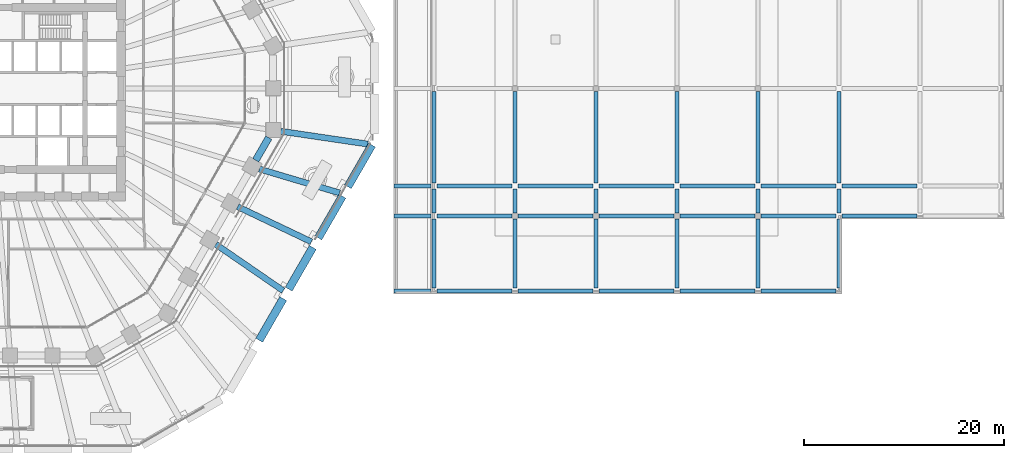
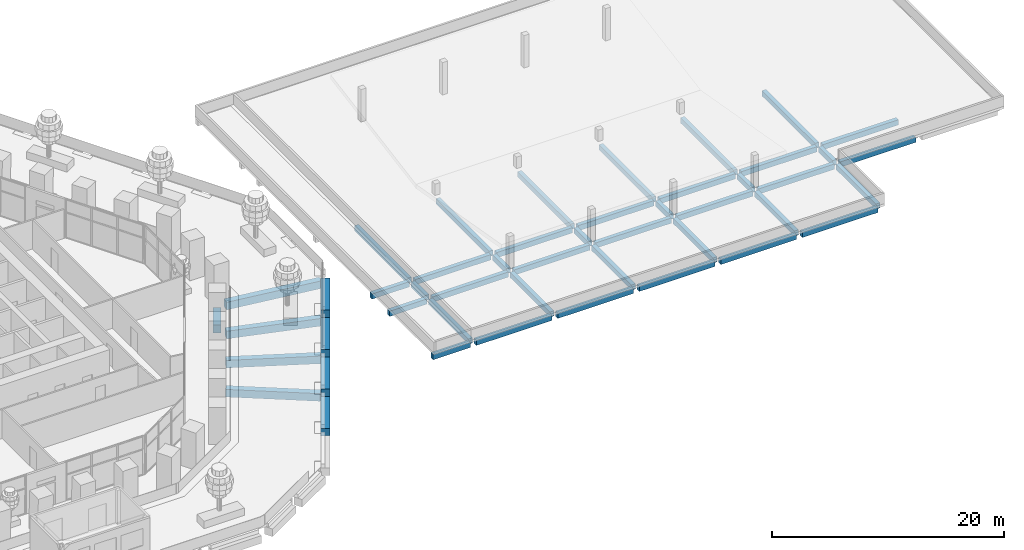
# One storey, part 16 of 32: 47 beams.
"""IFC4 building model written with IfcOpenShell, lengths in metres."""

import ifcopenshell
import ifcopenshell.guid

model = None  # the IFC model being written
_history = None  # IfcOwnerHistory: only IFC2X3 demands one
_inside = {}  # id of a spatial element -> (the spatial element, [elements in it])
_under = {}  # id of a project, library or spatial element -> (it, [spatial elements below it])
_declared = {}  # id of a project -> (the project, [libraries it declares])
_typed = {}  # id of a type object -> (the type object, [elements of that type])
_made_of = {}  # id of a material, layer set ... -> (it, [elements and type objects made of it])


def new_model(schema):
    """Start an empty IFC model of exactly this schema.

    Asked for "IFC4X3", IfcOpenShell would pick the latest addendum, in which some entities
    have other attributes; the version numbers below select the first issue.
    IFC2X3 requires an IfcOwnerHistory on every rooted entity: one is made here for all.
    """
    global model, _history
    if schema == "IFC4X3":
        model = ifcopenshell.file(schema_version=(4, 3, 0, 0))
    else:
        model = ifcopenshell.file(schema=schema)
    _inside.clear()
    _under.clear()
    _declared.clear()
    _typed.clear()
    _made_of.clear()
    _history = None
    if model.schema == "IFC2X3":
        org = make("IfcOrganization", Name="unknown")
        user = make(
            "IfcPersonAndOrganization",
            ThePerson=make("IfcPerson", FamilyName="unknown"),
            TheOrganization=org,
        )
        app = make(
            "IfcApplication",
            ApplicationDeveloper=org,
            Version="unknown",
            ApplicationFullName="unknown",
            ApplicationIdentifier="unknown",
        )
        _history = make(
            "IfcOwnerHistory",
            OwningUser=user,
            OwningApplication=app,
            ChangeAction="ADDED",
            CreationDate=0,
        )
    return model


def make(cls, **values):
    """One entity of the class cls with the attributes given. An attribute that is None is left unset."""
    return model.create_entity(
        cls, **{name: value for name, value in values.items() if value is not None}
    )


def rooted(cls, **values):
    """An entity with a GlobalId (a new one), such as an element, a storey or a relation."""
    return make(cls, GlobalId=ifcopenshell.guid.new(), OwnerHistory=_history, **values)


def si_unit(unit_type, name, prefix=None):
    """IfcSIUnit, for example si_unit("LENGTHUNIT", "METRE", prefix="MILLI")."""
    return make("IfcSIUnit", UnitType=unit_type, Prefix=prefix, Name=name)


def assignment(units):
    """IfcUnitAssignment: the units of a project."""
    return None if units is None else make("IfcUnitAssignment", Units=units)


def point(xyz):
    """IfcCartesianPoint."""
    return None if xyz is None else make("IfcCartesianPoint", Coordinates=xyz)


def direction(xyz):
    """IfcDirection."""
    return None if xyz is None else make("IfcDirection", DirectionRatios=xyz)


def frame(location, z_axis=None, x_axis=None):
    """IfcAxis2Placement3D, a coordinate frame: its origin and axes. An axis left out is left unset."""
    return make(
        "IfcAxis2Placement3D",
        Location=point(location),
        Axis=direction(z_axis),
        RefDirection=direction(x_axis),
    )


def frame_2d(location, x_axis=None):
    """IfcAxis2Placement2D, a coordinate frame in the plane: its origin and x axis."""
    return make(
        "IfcAxis2Placement2D", Location=point(location), RefDirection=direction(x_axis)
    )


def origin():
    """The frame at (0, 0, 0) with its axes left unset."""
    return frame((0.0, 0.0, 0.0))


def origin_2d():
    """The frame at (0, 0) in the plane with its x axis left unset."""
    return frame_2d((0.0, 0.0))


def place(relative_to, where):
    """IfcLocalPlacement: puts the frame where relative to a parent placement (None: the world)."""
    return make(
        "IfcLocalPlacement", PlacementRelTo=relative_to, RelativePlacement=where
    )


def context(
    kind, dimensions, precision=None, world=None, true_north=None, identifier=None
):
    """IfcGeometricRepresentationContext, for example the 3D "Model" context."""
    return make(
        "IfcGeometricRepresentationContext",
        ContextIdentifier=identifier,
        ContextType=kind,
        CoordinateSpaceDimension=dimensions,
        Precision=precision,
        WorldCoordinateSystem=world,
        TrueNorth=true_north,
    )


def subcontext(parent, identifier, kind, view, scale=None):
    """IfcGeometricRepresentationSubContext, for example "Body" below "Model"."""
    return make(
        "IfcGeometricRepresentationSubContext",
        ContextIdentifier=identifier,
        ContextType=kind,
        ParentContext=parent,
        TargetScale=scale,
        TargetView=view,
    )


def project(units=None, contexts=None):
    """IfcProject with its units and contexts."""
    return rooted(
        "IfcProject",
        Name="project",
        RepresentationContexts=contexts,
        UnitsInContext=assignment(units),
    )


def spatial(cls, under=None, at=None, **own):
    """A site, building, storey or space (cls), placed at a placement, below another one or the project."""
    s = rooted(cls, ObjectPlacement=at, **own)
    if under is not None:
        _under.setdefault(under.id(), (under, []))[1].append(s)
    return s


def profile(cls, at=None, kind="AREA", **sizes):
    """A parametric profile (cls). Its sizes go by their IFC names, for example OverallWidth=200.0."""
    return make(cls, ProfileType=kind, Position=at, **sizes)


def rectangle(**sizes):
    """IfcRectangleProfileDef."""
    return profile("IfcRectangleProfileDef", **sizes)


def extrude(swept, where, along, depth):
    """IfcExtrudedAreaSolid: the profile swept, set in the frame where, extruded along a direction by depth."""
    return make(
        "IfcExtrudedAreaSolid",
        SweptArea=swept,
        Position=where,
        ExtrudedDirection=direction(along),
        Depth=depth,
    )


def shape(context_of_items, identifier, shape_type, items):
    """IfcShapeRepresentation: the items that make up one representation, for example the "Body"."""
    return make(
        "IfcShapeRepresentation",
        ContextOfItems=context_of_items,
        RepresentationIdentifier=identifier,
        RepresentationType=shape_type,
        Items=items,
    )


def material(Name=None, Category=None):
    """IfcMaterial."""
    return make("IfcMaterial", Name=Name, Category=Category)


def material_profile(
    of_material, cross_section, Name=None, Category=None, Priority=None
):
    """IfcMaterialProfile: a cross section and its material."""
    return make(
        "IfcMaterialProfile",
        Name=Name,
        Material=of_material,
        Profile=cross_section,
        Priority=Priority,
        Category=Category,
    )


def profile_set(profiles, Name=None, composite=None):
    """IfcMaterialProfileSet."""
    return make(
        "IfcMaterialProfileSet",
        Name=Name,
        MaterialProfiles=profiles,
        CompositeProfile=composite,
    )


def made_of(thing, what):
    """Note that an element or type object is made of a material, layer set ...; save() writes the relation."""
    if what is not None:
        _made_of.setdefault(what.id(), (what, []))[1].append(thing)
    return thing


def type_object(cls, material=None, **own):
    """A type object (cls), such as IfcWallType, which elements share."""
    return made_of(rooted(cls, **own), material)


def element(
    cls,
    number,
    at=None,
    inside=None,
    cuts=None,
    type_object=None,
    material=None,
    context=None,
    identifier="Body",
    shape_type=None,
    held_by="IfcProductDefinitionShape",
    body=None,
    shapes=None,
    **own,
):
    """One element of the class cls, such as IfcWall. Its Tag is "e" and its number.

    at: its placement. inside: the storey or other place that contains it. cuts: it is an
    opening in that element (IfcRelVoidsElement). A single representation is given by context,
    identifier, shape_type and body (its items); several are given by shapes. held_by: the class
    of the entity that holds the representations. save() writes the other relations.
    """
    e = rooted(cls, Tag="e%d" % number, ObjectPlacement=at, **own)
    if body is not None:
        shapes = [shape(context, identifier, shape_type, body)]
    if shapes is not None:
        e.Representation = make(held_by, Representations=shapes)
    if inside is not None:
        _inside.setdefault(inside.id(), (inside, []))[1].append(e)
    if cuts is not None:
        rooted(
            "IfcRelVoidsElement", RelatingBuildingElement=cuts, RelatedOpeningElement=e
        )
    if type_object is not None:
        _typed.setdefault(type_object.id(), (type_object, []))[1].append(e)
    return made_of(e, material)


def aggregate(whole, parts):
    """IfcRelAggregates: a whole, such as a stair, and the parts it consists of."""
    return rooted("IfcRelAggregates", RelatingObject=whole, RelatedObjects=parts)


def save(model, path):
    """Write the relations noted so far, then the file.

    IfcRelAggregates (storeys below a building ...), IfcRelContainedInSpatialStructure (elements
    in a storey), IfcRelDefinesByType, IfcRelAssociatesMaterial and IfcRelDeclares: one each for
    every whole, place, type object, material and project.
    """
    for whole, parts in _under.values():
        aggregate(whole, parts)
    for where, things in _inside.values():
        rooted(
            "IfcRelContainedInSpatialStructure",
            RelatedElements=things,
            RelatingStructure=where,
        )
    for kind, things in _typed.values():
        rooted("IfcRelDefinesByType", RelatedObjects=things, RelatingType=kind)
    for what, things in _made_of.values():
        rooted("IfcRelAssociatesMaterial", RelatedObjects=things, RelatingMaterial=what)
    for by, libraries in _declared.values():
        rooted("IfcRelDeclares", RelatingContext=by, RelatedDefinitions=libraries)
    model.write(path)


model = new_model("IFC4")

# Units and contexts
model_context = context("Model", 3, precision=1e-05, world=origin(), true_north=direction((0.0, 1.0)))
body_context = subcontext(model_context, "Body", "Model", "MODEL_VIEW")
ifc_project = project(units=[si_unit("LENGTHUNIT", "METRE"), si_unit("AREAUNIT", "SQUARE_METRE"), si_unit("VOLUMEUNIT", "CUBIC_METRE"), si_unit("PLANEANGLEUNIT", "RADIAN"), si_unit("MASSUNIT", "GRAM", prefix="KILO")], contexts=[model_context])

# Site, building, storey
site_placement = place(None, origin())
site = spatial("IfcSite", under=ifc_project, at=site_placement, CompositionType="ELEMENT")
building_placement = place(site_placement, origin())
building = spatial("IfcBuilding", under=site, at=building_placement, Name="Frailejon Research Tower", CompositionType="ELEMENT")
storey_placement = place(building_placement, frame((0.0, 0.0, 14.60009765625)))
storey = spatial("IfcBuildingStorey", under=building, at=storey_placement, Name="L03", CompositionType="ELEMENT", Elevation=14.60009765625)

# Beams
ifc_material_1 = material(Name="Concrete C60/75", Category="concrete")
ifc_material_profile_1 = material_profile(ifc_material_1, rectangle(XDim=0.800048828125, YDim=0.800048828125, at=origin_2d()), Name="Base ring beam")
ifc_profile_set_1 = profile_set([ifc_material_profile_1], Name="Concrete C60/75")
beam_type_1 = type_object("IfcBeamType", Name="Base ring beam", PredefinedType="BEAM", material=ifc_profile_set_1)
for number, where, z_axis, x_axis, name in (
    (1, (27.0166015625, -25.2060546875, -0.800048828125), (0.50000634465, 0.866021740668, 0.0), (-0.866021740668, 0.50000634465, 0.0), "Base ring beam"),
    (2, (29.973388671875, -20.08447265625, -0.800048828125), (0.50000634465, 0.866021740668, 0.0), (-0.866021740668, 0.50000634465, 0.0), "Base ring beam"),
    (3, (32.930419921875, -14.962890625, -0.800048828125), (0.50000634465, 0.866021740668, 0.0), (-0.866021740668, 0.50000634465, 0.0), "Base ring beam"),
):
    element("IfcBeam", number, at=place(storey_placement, frame(where, z_axis=z_axis, x_axis=x_axis)), inside=storey, type_object=beam_type_1, Name=name, PredefinedType="BEAM", context=body_context, shape_type="SweptSolid", body=[
        extrude(rectangle(XDim=0.800048828125, YDim=0.800048828125, at=origin_2d()), origin(), (0.0, 0.0, 1.0), 4.81396484375),
    ])
beam_1_placement = place(storey_placement, frame((35.88720703125, -9.84130859375, -0.800048828125), z_axis=(0.500028306193, 0.866009060579, 0.0), x_axis=(-0.866009060579, 0.500028306193, 0.0)))
element("IfcBeam", 4, at=beam_1_placement, inside=storey, type_object=beam_type_1, Name="Base ring beam", PredefinedType="BEAM", context=body_context, shape_type="SweptSolid", body=[
    extrude(rectangle(XDim=0.800048828125, YDim=0.800048828125, at=origin_2d()), origin(), (0.0, 0.0, 1.0), 4.813720703125),
])
ifc_material_2 = material(Name="Concrete C60/75", Category="concrete")
ifc_material_profile_2 = material_profile(ifc_material_2, rectangle(XDim=0.60009765625, YDim=0.800048828125, at=origin_2d()), Name="Deck girder")
ifc_profile_set_2 = profile_set([ifc_material_profile_2], Name="Concrete C60/75")
beam_type_2 = type_object("IfcBeamType", Name="Deck girder", PredefinedType="BEAM", material=ifc_profile_set_2)
beam_2_placement = place(storey_placement, frame((29.162841796875, -4.298095703125, -0.800048828125), z_axis=(0.989311594585, -0.145816901696, 0.0), x_axis=(0.145816901696, 0.989311594585, 0.0)))
element("IfcBeam", 5, at=beam_2_placement, inside=storey, type_object=beam_type_2, Name="Deck girder", PredefinedType="BEAM", context=body_context, shape_type="SweptSolid", body=[
    extrude(rectangle(XDim=0.60009765625, YDim=0.800048828125, at=origin_2d()), origin(), (0.0, 0.0, 1.0), 8.815185546875),
])
for number, where, z_axis, x_axis, name in (
    (6, (22.684814453125, -15.60888671875, -0.800048828125), (0.823805728176, -0.566872227424, 0.0), (0.566872227424, 0.823805728176, 0.0), "Deck girder"),
    (7, (24.860107421875, -11.841064453125, -0.800048828125), (0.902821876558, -0.430014719758, 0.0), (0.430014719758, 0.902821876558, 0.0), "Deck girder"),
):
    element("IfcBeam", number, at=place(storey_placement, frame(where, z_axis=z_axis, x_axis=x_axis)), inside=storey, type_object=beam_type_2, Name=name, PredefinedType="BEAM", context=body_context, shape_type="SweptSolid", body=[
        extrude(rectangle(XDim=0.60009765625, YDim=0.800048828125, at=origin_2d()), origin(), (0.0, 0.0, 1.0), 8.175537109375),
    ])
beam_3_placement = place(storey_placement, frame((27.035400390625, -8.072998046875, -0.800048828125), z_axis=(0.958192065752, -0.286125785503, 0.0), x_axis=(0.286125785503, 0.958192065752, 0.0)))
element("IfcBeam", 8, at=beam_3_placement, inside=storey, type_object=beam_type_2, Name="Deck girder", PredefinedType="BEAM", context=body_context, shape_type="SweptSolid", body=[
    extrude(rectangle(XDim=0.60009765625, YDim=0.800048828125, at=origin_2d()), origin(), (0.0, 0.0, 1.0), 8.37744140625),
])
ifc_material_3 = material(Name="Concrete C35/45", Category="concrete")
ifc_material_profile_3 = material_profile(ifc_material_3, rectangle(XDim=0.39990234375, YDim=0.550048828125, at=origin_2d()), Name="HC beam 400x550")
ifc_profile_set_3 = profile_set([ifc_material_profile_3], Name="Concrete C35/45")
beam_type_3 = type_object("IfcBeamType", Name="HC beam 400x550", PredefinedType="BEAM", material=ifc_profile_set_3)
for number, where, z_axis, x_axis, name in (
    (9, (44.800048828125, -20.25, -0.525146484375), (1.0, 0.0, 0.0), (0.0, 1.0, 0.0), "HC roof beam"),
    (10, (52.89990234375, -20.25, -0.525146484375), (1.0, 0.0, 0.0), (0.0, 1.0, 0.0), "HC roof beam"),
    (11, (61.0, -20.25, -0.525146484375), (1.0, 0.0, 0.0), (0.0, 1.0, 0.0), "HC roof beam"),
    (12, (69.10009765625, -20.25, -0.525146484375), (1.0, 0.0, 0.0), (0.0, 1.0, 0.0), "HC roof beam"),
    (13, (77.199951171875, -20.25, -0.525146484375), (1.0, 0.0, 0.0), (0.0, 1.0, 0.0), "HC roof beam"),
    (14, (44.800048828125, -12.75, -0.525146484375), (1.0, 0.0, 0.0), (0.0, 1.0, 0.0), "HC roof beam"),
    (15, (52.89990234375, -12.75, -0.525146484375), (1.0, 0.0, 0.0), (0.0, 1.0, 0.0), "HC roof beam"),
    (16, (61.0, -12.75, -0.525146484375), (1.0, 0.0, 0.0), (0.0, 1.0, 0.0), "HC roof beam"),
    (17, (69.10009765625, -12.75, -0.525146484375), (1.0, 0.0, 0.0), (0.0, 1.0, 0.0), "HC roof beam"),
    (18, (77.199951171875, -12.75, -0.525146484375), (1.0, 0.0, 0.0), (0.0, 1.0, 0.0), "HC roof beam"),
    (19, (85.300048828125, -12.75, -0.525146484375), (1.0, 0.0, 0.0), (0.0, 1.0, 0.0), "HC roof beam"),
    (20, (44.800048828125, -9.75, -0.525146484375), (1.0, 0.0, 0.0), (0.0, 1.0, 0.0), "HC roof beam"),
    (21, (52.89990234375, -9.75, -0.525146484375), (1.0, 0.0, 0.0), (0.0, 1.0, 0.0), "HC roof beam"),
    (22, (61.0, -9.75, -0.525146484375), (1.0, 0.0, 0.0), (0.0, 1.0, 0.0), "HC roof beam"),
    (23, (69.10009765625, -9.75, -0.525146484375), (1.0, 0.0, 0.0), (0.0, 1.0, 0.0), "HC roof beam"),
    (24, (77.199951171875, -9.75, -0.525146484375), (1.0, 0.0, 0.0), (0.0, 1.0, 0.0), "HC roof beam"),
    (25, (85.300048828125, -9.75, -0.525146484375), (1.0, 0.0, 0.0), (0.0, 1.0, 0.0), "HC roof beam"),
):
    element("IfcBeam", number, at=place(storey_placement, frame(where, z_axis=z_axis, x_axis=x_axis)), inside=storey, type_object=beam_type_3, Name=name, PredefinedType="BEAM", context=body_context, shape_type="SweptSolid", body=[
        extrude(rectangle(XDim=0.39990234375, YDim=0.550048828125, at=origin_2d()), origin(), (0.0, 0.0, 1.0), 7.5),
    ])
beam_4_placement = place(storey_placement, frame((44.5, -19.949951171875, -0.525146484375), z_axis=(0.0, 1.0, 0.0), x_axis=(-1.0, 0.0, 0.0)))
element("IfcBeam", 26, at=beam_4_placement, inside=storey, type_object=beam_type_3, Name="HC roof beam", PredefinedType="BEAM", context=body_context, shape_type="SweptSolid", body=[
    extrude(rectangle(XDim=0.39990234375, YDim=0.550048828125, at=origin_2d()), origin(), (0.0, 0.0, 1.0), 6.89990234375),
])
beam_5_placement = place(storey_placement, frame((44.5, -12.449951171875, -0.525146484375), z_axis=(0.0, 1.0, 0.0), x_axis=(-1.0, 0.0, 0.0)))
element("IfcBeam", 27, at=beam_5_placement, inside=storey, type_object=beam_type_3, Name="HC roof beam", PredefinedType="BEAM", context=body_context, shape_type="SweptSolid", body=[
    extrude(rectangle(XDim=0.39990234375, YDim=0.550048828125, at=origin_2d()), origin(), (0.0, 0.0, 1.0), 2.39990234375),
])
beam_6_placement = place(storey_placement, frame((44.5, -9.449951171875, -0.525146484375), z_axis=(0.0, 1.0, 0.0), x_axis=(-1.0, 0.0, 0.0)))
element("IfcBeam", 28, at=beam_6_placement, inside=storey, type_object=beam_type_3, Name="HC roof beam", PredefinedType="BEAM", context=body_context, shape_type="SweptSolid", body=[
    extrude(rectangle(XDim=0.39990234375, YDim=0.550048828125, at=origin_2d()), origin(), (0.0, 0.0, 1.0), 9.14990234375),
])
beam_7_placement = place(storey_placement, frame((52.60009765625, -19.949951171875, -0.525146484375), z_axis=(0.0, 1.0, 0.0), x_axis=(-1.0, 0.0, 0.0)))
element("IfcBeam", 29, at=beam_7_placement, inside=storey, type_object=beam_type_3, Name="HC roof beam", PredefinedType="BEAM", context=body_context, shape_type="SweptSolid", body=[
    extrude(rectangle(XDim=0.39990234375, YDim=0.550048828125, at=origin_2d()), origin(), (0.0, 0.0, 1.0), 6.89990234375),
])
beam_8_placement = place(storey_placement, frame((52.60009765625, -12.449951171875, -0.525146484375), z_axis=(0.0, 1.0, 0.0), x_axis=(-1.0, 0.0, 0.0)))
element("IfcBeam", 30, at=beam_8_placement, inside=storey, type_object=beam_type_3, Name="HC roof beam", PredefinedType="BEAM", context=body_context, shape_type="SweptSolid", body=[
    extrude(rectangle(XDim=0.39990234375, YDim=0.550048828125, at=origin_2d()), origin(), (0.0, 0.0, 1.0), 2.39990234375),
])
beam_9_placement = place(storey_placement, frame((52.60009765625, -9.449951171875, -0.525146484375), z_axis=(0.0, 1.0, 0.0), x_axis=(-1.0, 0.0, 0.0)))
element("IfcBeam", 31, at=beam_9_placement, inside=storey, type_object=beam_type_3, Name="HC roof beam", PredefinedType="BEAM", context=body_context, shape_type="SweptSolid", body=[
    extrude(rectangle(XDim=0.39990234375, YDim=0.550048828125, at=origin_2d()), origin(), (0.0, 0.0, 1.0), 9.14990234375),
])
beam_10_placement = place(storey_placement, frame((60.699951171875, -19.949951171875, -0.525146484375), z_axis=(0.0, 1.0, 0.0), x_axis=(-1.0, 0.0, 0.0)))
element("IfcBeam", 32, at=beam_10_placement, inside=storey, type_object=beam_type_3, Name="HC roof beam", PredefinedType="BEAM", context=body_context, shape_type="SweptSolid", body=[
    extrude(rectangle(XDim=0.39990234375, YDim=0.550048828125, at=origin_2d()), origin(), (0.0, 0.0, 1.0), 6.89990234375),
])
beam_11_placement = place(storey_placement, frame((60.699951171875, -12.449951171875, -0.525146484375), z_axis=(0.0, 1.0, 0.0), x_axis=(-1.0, 0.0, 0.0)))
element("IfcBeam", 33, at=beam_11_placement, inside=storey, type_object=beam_type_3, Name="HC roof beam", PredefinedType="BEAM", context=body_context, shape_type="SweptSolid", body=[
    extrude(rectangle(XDim=0.39990234375, YDim=0.550048828125, at=origin_2d()), origin(), (0.0, 0.0, 1.0), 2.39990234375),
])
beam_12_placement = place(storey_placement, frame((60.699951171875, -9.449951171875, -0.525146484375), z_axis=(0.0, 1.0, 0.0), x_axis=(-1.0, 0.0, 0.0)))
element("IfcBeam", 34, at=beam_12_placement, inside=storey, type_object=beam_type_3, Name="HC roof beam", PredefinedType="BEAM", context=body_context, shape_type="SweptSolid", body=[
    extrude(rectangle(XDim=0.39990234375, YDim=0.550048828125, at=origin_2d()), origin(), (0.0, 0.0, 1.0), 9.14990234375),
])
beam_13_placement = place(storey_placement, frame((68.800048828125, -19.949951171875, -0.525146484375), z_axis=(0.0, 1.0, 0.0), x_axis=(-1.0, 0.0, 0.0)))
element("IfcBeam", 35, at=beam_13_placement, inside=storey, type_object=beam_type_3, Name="HC roof beam", PredefinedType="BEAM", context=body_context, shape_type="SweptSolid", body=[
    extrude(rectangle(XDim=0.39990234375, YDim=0.550048828125, at=origin_2d()), origin(), (0.0, 0.0, 1.0), 6.89990234375),
])
beam_14_placement = place(storey_placement, frame((68.800048828125, -12.449951171875, -0.525146484375), z_axis=(0.0, 1.0, 0.0), x_axis=(-1.0, 0.0, 0.0)))
element("IfcBeam", 36, at=beam_14_placement, inside=storey, type_object=beam_type_3, Name="HC roof beam", PredefinedType="BEAM", context=body_context, shape_type="SweptSolid", body=[
    extrude(rectangle(XDim=0.39990234375, YDim=0.550048828125, at=origin_2d()), origin(), (0.0, 0.0, 1.0), 2.39990234375),
])
beam_15_placement = place(storey_placement, frame((68.800048828125, -9.449951171875, -0.525146484375), z_axis=(0.0, 1.0, 0.0), x_axis=(-1.0, 0.0, 0.0)))
element("IfcBeam", 37, at=beam_15_placement, inside=storey, type_object=beam_type_3, Name="HC roof beam", PredefinedType="BEAM", context=body_context, shape_type="SweptSolid", body=[
    extrude(rectangle(XDim=0.39990234375, YDim=0.550048828125, at=origin_2d()), origin(), (0.0, 0.0, 1.0), 9.14990234375),
])
beam_16_placement = place(storey_placement, frame((76.89990234375, -19.949951171875, -0.525146484375), z_axis=(0.0, 1.0, 0.0), x_axis=(-1.0, 0.0, 0.0)))
element("IfcBeam", 38, at=beam_16_placement, inside=storey, type_object=beam_type_3, Name="HC roof beam", PredefinedType="BEAM", context=body_context, shape_type="SweptSolid", body=[
    extrude(rectangle(XDim=0.39990234375, YDim=0.550048828125, at=origin_2d()), origin(), (0.0, 0.0, 1.0), 6.89990234375),
])
beam_17_placement = place(storey_placement, frame((76.89990234375, -12.449951171875, -0.525146484375), z_axis=(0.0, 1.0, 0.0), x_axis=(-1.0, 0.0, 0.0)))
element("IfcBeam", 39, at=beam_17_placement, inside=storey, type_object=beam_type_3, Name="HC roof beam", PredefinedType="BEAM", context=body_context, shape_type="SweptSolid", body=[
    extrude(rectangle(XDim=0.39990234375, YDim=0.550048828125, at=origin_2d()), origin(), (0.0, 0.0, 1.0), 2.39990234375),
])
beam_18_placement = place(storey_placement, frame((76.89990234375, -9.449951171875, -0.525146484375), z_axis=(0.0, 1.0, 0.0), x_axis=(-1.0, 0.0, 0.0)))
element("IfcBeam", 40, at=beam_18_placement, inside=storey, type_object=beam_type_3, Name="HC roof beam", PredefinedType="BEAM", context=body_context, shape_type="SweptSolid", body=[
    extrude(rectangle(XDim=0.39990234375, YDim=0.550048828125, at=origin_2d()), origin(), (0.0, 0.0, 1.0), 9.14990234375),
])
beam_19_placement = place(storey_placement, frame((85.0, -19.949951171875, -0.525146484375), z_axis=(0.0, 1.0, 0.0), x_axis=(-1.0, 0.0, 0.0)))
element("IfcBeam", 41, at=beam_19_placement, inside=storey, type_object=beam_type_3, Name="HC roof beam", PredefinedType="BEAM", context=body_context, shape_type="SweptSolid", body=[
    extrude(rectangle(XDim=0.39990234375, YDim=0.550048828125, at=origin_2d()), origin(), (0.0, 0.0, 1.0), 6.89990234375),
])
beam_20_placement = place(storey_placement, frame((85.0, -12.449951171875, -0.525146484375), z_axis=(0.0, 1.0, 0.0), x_axis=(-1.0, 0.0, 0.0)))
element("IfcBeam", 42, at=beam_20_placement, inside=storey, type_object=beam_type_3, Name="HC roof beam", PredefinedType="BEAM", context=body_context, shape_type="SweptSolid", body=[
    extrude(rectangle(XDim=0.39990234375, YDim=0.550048828125, at=origin_2d()), origin(), (0.0, 0.0, 1.0), 2.39990234375),
])
beam_21_placement = place(storey_placement, frame((85.0, -9.449951171875, -0.525146484375), z_axis=(0.0, 1.0, 0.0), x_axis=(-1.0, 0.0, 0.0)))
element("IfcBeam", 43, at=beam_21_placement, inside=storey, type_object=beam_type_3, Name="HC roof beam", PredefinedType="BEAM", context=body_context, shape_type="SweptSolid", body=[
    extrude(rectangle(XDim=0.39990234375, YDim=0.550048828125, at=origin_2d()), origin(), (0.0, 0.0, 1.0), 9.14990234375),
])
for number, where, z_axis, x_axis, name in (
    (44, (40.5, -20.25, -0.525146484375), (1.0, 0.0, 0.0), (0.0, 1.0, 0.0), "HC canopy beam"),
    (45, (40.5, -12.75, -0.525146484375), (1.0, 0.0, 0.0), (0.0, 1.0, 0.0), "HC canopy beam"),
    (46, (40.5, -9.75, -0.525146484375), (1.0, 0.0, 0.0), (0.0, 1.0, 0.0), "HC canopy beam"),
):
    element("IfcBeam", number, at=place(storey_placement, frame(where, z_axis=z_axis, x_axis=x_axis)), inside=storey, type_object=beam_type_3, Name=name, PredefinedType="BEAM", context=body_context, shape_type="SweptSolid", body=[
        extrude(rectangle(XDim=0.39990234375, YDim=0.550048828125, at=origin_2d()), origin(), (0.0, 0.0, 1.0), 3.699951171875),
    ])
ifc_material_4 = material(Name="Concrete C60/75", Category="concrete")
ifc_material_profile_4 = material_profile(ifc_material_4, rectangle(XDim=0.699951171875, YDim=0.800048828125, at=origin_2d()), Name="Spandrel 700x800")
ifc_profile_set_4 = profile_set([ifc_material_profile_4], Name="Concrete C60/75")
beam_type_4 = type_object("IfcBeamType", Name="Spandrel 700x800", PredefinedType="BEAM", material=ifc_profile_set_4)
beam_22_placement = place(storey_placement, frame((26.671875, -7.202880859375, -0.75), z_axis=(0.499983679662, 0.866034826131, 0.0), x_axis=(-0.866034826131, 0.499983679662, 0.0)))
element("IfcBeam", 47, at=beam_22_placement, inside=storey, type_object=beam_type_4, Name="Spandrel 700x800", PredefinedType="BEAM", context=body_context, shape_type="SweptSolid", body=[
    extrude(rectangle(XDim=0.699951171875, YDim=0.800048828125, at=origin_2d()), origin(), (0.0, 0.0, 1.0), 2.61572265625),
])

save(model, "model.ifc")
